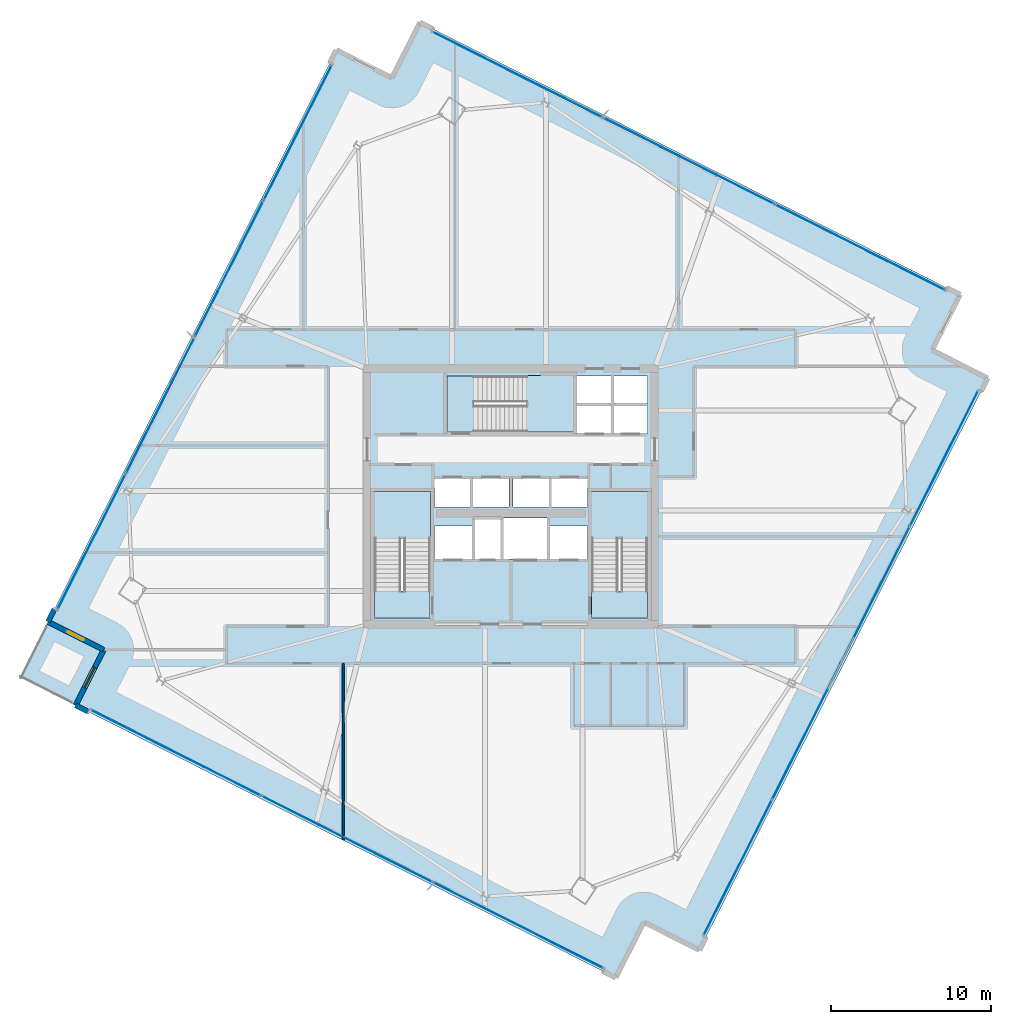
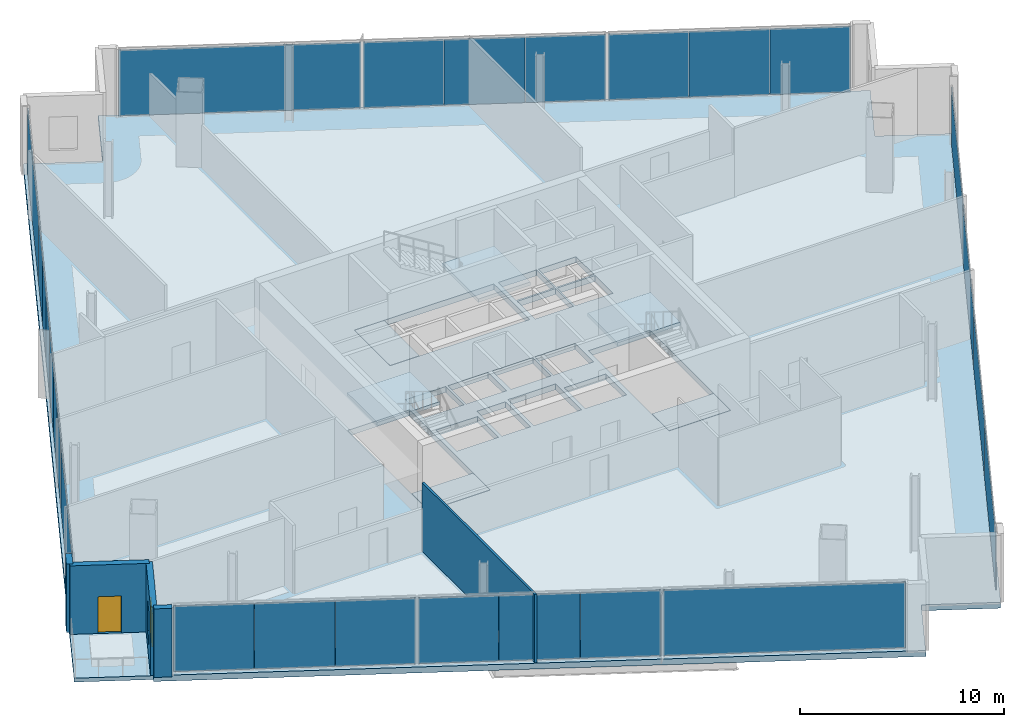
# One storey, part 19 of 27: 26 plates, 8 slabs, 5 walls, 1 door, 1 window, 2 openings, 7 elements without a shape of their own.
"""IFC4 building model written with IfcOpenShell, lengths in metres."""

from ifc_helpers import new_model, si_unit, direction, frame, frame_2d, origin, origin_2d, place, context, subcontext, project, spatial, polyline, rectangle, outline, extrude, source, transform, mapped, material, layer, layer_set, type_object, element, fill, aggregate, save


model = new_model("IFC4")

# Units and contexts
model_context = context("Model", 3, precision=1e-05, world=origin(), true_north=direction((0.0, 1.0)))
body_context = subcontext(model_context, "Body", "Model", "MODEL_VIEW")
ifc_project = project(units=[si_unit("LENGTHUNIT", "METRE"), si_unit("AREAUNIT", "SQUARE_METRE"), si_unit("VOLUMEUNIT", "CUBIC_METRE"), si_unit("PLANEANGLEUNIT", "RADIAN"), si_unit("MASSUNIT", "GRAM", prefix="KILO")], contexts=[model_context])

# Site, building, storey
site_placement = place(None, origin())
site = spatial("IfcSite", under=ifc_project, at=site_placement, CompositionType="ELEMENT")
building_placement = place(site_placement, origin())
building = spatial("IfcBuilding", under=site, at=building_placement, Name="Haldenkirk Collegiate Tower", CompositionType="ELEMENT")
storey_placement = place(building_placement, frame((0.0, 0.0, 239.699951171875)))
storey = spatial("IfcBuildingStorey", under=building, at=storey_placement, Name="L60", CompositionType="ELEMENT", Elevation=239.699951171875)

# Slab
ifc_material_1 = material(Name="Concrete f'c 40 MPa", Category="concrete")
ifc_layer_1 = layer(ifc_material_1, 0.35009765625)
ifc_layer_set_1 = layer_set([ifc_layer_1], Name="Concrete f'c 40 MPa")
slab_type_1 = type_object("IfcSlabType", Name="SLB-FLR-350", PredefinedType="FLOOR", material=ifc_layer_set_1)
slab_1_placement = place(storey_placement, frame((0.0, 0.0, -0.349853515625)))
element("IfcSlab", 1, at=slab_1_placement, inside=storey, type_object=slab_type_1, Name="L60 composite structural floor slab", PredefinedType="FLOOR", context=body_context, shape_type="SweptSolid", body=[
    extrude(outline(polyline([(47.80419921875, -2.40283203125), (65.853271484375, 33.40576171875), (62.37060546875, 35.1611328125), (64.1259765625, 38.643798828125), (30.304443359375, 55.691162109375), (28.549072265625, 52.20849609375), (25.06640625, 53.9638671875), (7.017333984375, 18.155517578125), (10.5, 16.400146484375), (8.74462890625, 12.91748046875), (42.56640625, -4.1298828125), (44.321533203125, -0.6474609375), (47.80419921875, -2.40283203125)]), holes=[polyline([(27.449951171875, 18.39990234375), (30.949951171875, 18.39990234375), (30.949951171875, 26.300048828125), (27.449951171875, 26.300048828125), (27.449951171875, 18.39990234375)]), polyline([(41.050048828125, 18.39990234375), (44.550048828125, 18.39990234375), (44.550048828125, 26.300048828125), (41.050048828125, 26.300048828125), (41.050048828125, 18.39990234375)]), polyline([(32.0, 30.050048828125), (39.89990234375, 30.050048828125), (39.89990234375, 33.550048828125), (32.0, 33.550048828125), (32.0, 30.050048828125)]), polyline([(33.75, 22.10009765625), (35.35009765625, 22.10009765625), (35.35009765625, 24.550048828125), (33.75, 24.550048828125), (33.75, 22.10009765625)]), polyline([(40.14990234375, 29.949951171875), (42.320068359375, 29.949951171875), (42.320068359375, 31.699951171875), (40.14990234375, 31.699951171875), (40.14990234375, 29.949951171875)]), polyline([(42.419921875, 29.949951171875), (44.550048828125, 29.949951171875), (44.550048828125, 31.699951171875), (42.419921875, 31.699951171875), (42.419921875, 29.949951171875)]), polyline([(40.14990234375, 31.800048828125), (42.320068359375, 31.800048828125), (42.320068359375, 33.550048828125), (40.14990234375, 33.550048828125), (40.14990234375, 31.800048828125)]), polyline([(42.419921875, 31.800048828125), (44.550048828125, 31.800048828125), (44.550048828125, 33.550048828125), (42.419921875, 33.550048828125), (42.419921875, 31.800048828125)]), polyline([(31.199951171875, 25.35009765625), (33.47998046875, 25.35009765625), (33.47998046875, 27.14990234375), (31.199951171875, 27.14990234375), (31.199951171875, 25.35009765625)]), polyline([(33.60009765625, 25.35009765625), (35.8798828125, 25.35009765625), (35.8798828125, 27.14990234375), (33.60009765625, 27.14990234375), (33.60009765625, 25.35009765625)]), polyline([(36.1201171875, 25.35009765625), (38.39990234375, 25.35009765625), (38.39990234375, 27.14990234375), (36.1201171875, 27.14990234375), (36.1201171875, 25.35009765625)]), polyline([(38.52001953125, 25.35009765625), (40.800048828125, 25.35009765625), (40.800048828125, 27.14990234375), (38.52001953125, 27.14990234375), (38.52001953125, 25.35009765625)]), polyline([(31.199951171875, 22.10009765625), (33.550048828125, 22.10009765625), (33.550048828125, 24.14990234375), (31.199951171875, 24.14990234375), (31.199951171875, 22.10009765625)]), polyline([(38.449951171875, 22.10009765625), (40.800048828125, 22.10009765625), (40.800048828125, 24.14990234375), (38.449951171875, 24.14990234375), (38.449951171875, 22.10009765625)]), polyline([(35.550048828125, 22.10009765625), (38.25, 22.10009765625), (38.25, 24.64990234375), (35.550048828125, 24.64990234375), (35.550048828125, 22.10009765625)])]), origin(), (0.0, 0.0, 1.0), 0.349853515625),
])

# Stair, slab
stair_type = type_object("IfcStairType", Name="STR-DOGLEG-1650", PredefinedType="HALF_TURN_STAIR", material=ifc_material_1)
stair_1_placement = place(storey_placement, origin())
stair_1 = element("IfcStair", 2, at=stair_1_placement, inside=storey, type_object=stair_type, Name="L60 Core Exit Stair ST-1", PredefinedType="HALF_TURN_STAIR")
ifc_layer_2 = layer(ifc_material_1, 0.199951171875)
ifc_layer_set_2 = layer_set([ifc_layer_2], Name="Concrete f'c 40 MPa")
slab_type_2 = type_object("IfcSlabType", Name="SLB-LANDING-200", PredefinedType="LANDING", material=ifc_layer_set_2)
slab_2_placement = place(storey_placement, frame((0.0, 0.0, 2.050048828125)))
slab_2 = element("IfcSlab", 3, at=slab_2_placement, type_object=slab_type_2, Name="ST-1 landing 1", PredefinedType="LANDING", context=body_context, shape_type="SweptSolid", body=[
    extrude(outline(polyline([(30.97509765625, 23.385009765625), (27.425048828125, 23.385009765625), (27.425048828125, 26.324951171875), (30.97509765625, 26.324951171875), (30.97509765625, 23.385009765625)])), origin(), (0.0, 0.0, 1.0), 0.199951171875),
])
aggregate(stair_1, [slab_2])

stair_2_placement = place(storey_placement, origin())
stair_2 = element("IfcStair", 4, at=stair_2_placement, inside=storey, type_object=stair_type, Name="L60 Core Exit Stair ST-2", PredefinedType="HALF_TURN_STAIR")
slab_3_placement = place(storey_placement, frame((0.0, 0.0, 2.050048828125)))
slab_3 = element("IfcSlab", 5, at=slab_3_placement, type_object=slab_type_2, Name="ST-2 landing 1", PredefinedType="LANDING", context=body_context, shape_type="SweptSolid", body=[
    extrude(outline(polyline([(44.574951171875, 23.385009765625), (41.02490234375, 23.385009765625), (41.02490234375, 26.324951171875), (44.574951171875, 26.324951171875), (44.574951171875, 23.385009765625)])), origin(), (0.0, 0.0, 1.0), 0.199951171875),
])
aggregate(stair_2, [slab_3])

stair_3_placement = place(storey_placement, origin())
stair_3 = element("IfcStair", 6, at=stair_3_placement, inside=storey, type_object=stair_type, Name="L60 Core Exit Stair ST-3", PredefinedType="HALF_TURN_STAIR")
slab_4_placement = place(storey_placement, frame((0.0, 0.0, 2.050048828125)))
slab_4 = element("IfcSlab", 7, at=slab_4_placement, type_object=slab_type_2, Name="ST-3 landing 1", PredefinedType="LANDING", context=body_context, shape_type="SweptSolid", body=[
    extrude(outline(polyline([(36.985107421875, 30.02490234375), (36.985107421875, 33.574951171875), (39.925048828125, 33.574951171875), (39.925048828125, 30.02490234375), (36.985107421875, 30.02490234375)])), origin(), (0.0, 0.0, 1.0), 0.199951171875),
])
aggregate(stair_3, [slab_4])

# Slabs
ifc_layer_3 = layer(ifc_material_1, 0.25)
ifc_layer_set_3 = layer_set([ifc_layer_3], Name="Concrete f'c 40 MPa")
slab_type_3 = type_object("IfcSlabType", Name="SLB-STAIRLAND-250", PredefinedType="LANDING", material=ifc_layer_set_3)
slab_5_placement = place(storey_placement, frame((0.0, 0.0, -0.25)))
element("IfcSlab", 8, at=slab_5_placement, inside=storey, type_object=slab_type_3, Name="L60 stair ST1 structural floor landing slab", PredefinedType="LANDING", context=body_context, shape_type="SweptSolid", body=[
    extrude(outline(polyline([(27.4599609375, 18.409912109375), (30.93994140625, 18.409912109375), (30.93994140625, 20.080078125), (27.4599609375, 20.080078125), (27.4599609375, 18.409912109375)])), origin(), (0.0, 0.0, 1.0), 0.25),
])
slab_6_placement = place(storey_placement, frame((0.0, 0.0, -0.25)))
element("IfcSlab", 9, at=slab_6_placement, inside=storey, type_object=slab_type_3, Name="L60 stair ST2 structural floor landing slab", PredefinedType="LANDING", context=body_context, shape_type="SweptSolid", body=[
    extrude(outline(polyline([(41.06005859375, 18.409912109375), (44.5400390625, 18.409912109375), (44.5400390625, 20.080078125), (41.06005859375, 20.080078125), (41.06005859375, 18.409912109375)])), origin(), (0.0, 0.0, 1.0), 0.25),
])
slab_7_placement = place(storey_placement, frame((0.0, 0.0, -0.25)))
element("IfcSlab", 10, at=slab_7_placement, inside=storey, type_object=slab_type_3, Name="L60 stair ST3 structural floor landing slab", PredefinedType="LANDING", context=body_context, shape_type="SweptSolid", body=[
    extrude(outline(polyline([(32.010009765625, 30.06005859375), (33.679931640625, 30.06005859375), (33.679931640625, 33.5400390625), (32.010009765625, 33.5400390625), (32.010009765625, 30.06005859375)])), origin(), (0.0, 0.0, 1.0), 0.25),
])
ifc_layer_4 = layer(ifc_material_1, 0.22998046875)
ifc_layer_set_4 = layer_set([ifc_layer_4], Name="Concrete f'c 40 MPa")
slab_type_4 = type_object("IfcSlabType", Name="SLB-TERR-SPIRAL-230", PredefinedType="FLOOR", material=ifc_layer_set_4)
slab_8_placement = place(storey_placement, frame((0.0, 0.0, -0.22998046875)))
element("IfcSlab", 11, at=slab_8_placement, inside=storey, type_object=slab_type_4, Name="L60 spiralling corner terrace slab", PredefinedType="FLOOR", context=body_context, shape_type="SweptSolid", body=[
    extrude(outline(polyline([(8.74462890625, 12.91748046875), (10.5, 16.400146484375), (7.017333984375, 18.155517578125), (5.26220703125, 14.6728515625), (8.74462890625, 12.91748046875)])), origin(), (0.0, 0.0, 1.0), 0.22998046875),
])

# Curtain wall, plates
ifc_material_2 = material(Name="Anodised architectural bronze aluminium", Category="aluminium")
curtain_wall_type_1 = type_object("IfcCurtainWallType", Name="CW-SYS2-CONCAVE", PredefinedType="USERDEFINED", material=ifc_material_2)
curtain_wall_1_placement = place(storey_placement, origin())
curtain_wall_1 = element("IfcCurtainWall", 12, at=curtain_wall_1_placement, inside=storey, type_object=curtain_wall_type_1, Name="L60 South concave recessed bronze-anodised curtain wall", ObjectType="UNITISED CURTAIN WALL", PredefinedType="USERDEFINED")
ifc_material_3 = material(Name="Low-E argon triple insulating glass", Category="glass")
ifc_layer_5 = layer(ifc_material_3, 0.0419921875)
ifc_layer_set_5 = layer_set([ifc_layer_5], Name="Low-E argon triple insulating glass")
plate_type_1 = type_object("IfcPlateType", Name="CW-PNL-02", PredefinedType="CURTAIN_PANEL", material=ifc_layer_set_5)
shared_shape_1 = source(origin(), body_context, "Body", "SweptSolid", [
    extrude(rectangle(XDim=9.46240234375, YDim=0.0419921875, at=origin_2d()), origin(), (0.0, 0.0, 1.0), 3.407958984375),
])
plate_1_placement = place(storey_placement, frame((63.1240234375, 28.39111328125, 0.0751953125), z_axis=(0.0, 0.0, 1.0), x_axis=(-0.450096909675, -0.892979715279, 0.0)))
plate_1 = element("IfcPlate", 13, at=plate_1_placement, type_object=plate_type_1, Name="CW-02 panel 1.1", PredefinedType="CURTAIN_PANEL", context=body_context, shape_type="MappedRepresentation", body=[
    mapped(shared_shape_1, transform((0.0, 0.0, 0.0), x_axis=(1.0, 0.0, 0.0), y_axis=(0.0, 1.0, 0.0), z_axis=(0.0, 0.0, 1.0), scale=1.0)),
])
plate_2_placement = place(storey_placement, frame((50.2119140625, 2.773681640625, 0.0751953125), z_axis=(0.0, 0.0, 1.0), x_axis=(-0.450096909675, -0.892979715279, 0.0)))
plate_2 = element("IfcPlate", 14, at=plate_2_placement, type_object=plate_type_1, Name="CW-02 panel 4.1", PredefinedType="CURTAIN_PANEL", context=body_context, shape_type="MappedRepresentation", body=[
    mapped(shared_shape_1, transform((0.0, 0.0, 0.0), x_axis=(1.0, 0.0, 0.0), y_axis=(0.0, 1.0, 0.0), z_axis=(0.0, 0.0, 1.0), scale=1.0)),
])
shared_shape_2 = source(origin(), body_context, "Body", "SweptSolid", [
    extrude(rectangle(XDim=9.5, YDim=0.0419921875, at=origin_2d()), origin(), (0.0, 0.0, 1.0), 3.407958984375),
])
plate_3_placement = place(storey_placement, frame((58.822998046875, 19.857666015625, 0.0751953125), z_axis=(0.0, 0.0, 1.0), x_axis=(-0.450096909675, -0.892979715279, 0.0)))
plate_3 = element("IfcPlate", 15, at=plate_3_placement, type_object=plate_type_1, Name="CW-02 panel 2.1", PredefinedType="CURTAIN_PANEL", context=body_context, shape_type="MappedRepresentation", body=[
    mapped(shared_shape_2, transform((0.0, 0.0, 0.0), x_axis=(1.0, 0.0, 0.0), y_axis=(0.0, 1.0, 0.0), z_axis=(0.0, 0.0, 1.0), scale=1.0)),
])
plate_4_placement = place(storey_placement, frame((54.51318359375, 11.307373046875, 0.0751953125), z_axis=(0.0, 0.0, 1.0), x_axis=(-0.450096909675, -0.892979715279, 0.0)))
plate_4 = element("IfcPlate", 16, at=plate_4_placement, type_object=plate_type_1, Name="CW-02 panel 3.1", PredefinedType="CURTAIN_PANEL", context=body_context, shape_type="MappedRepresentation", body=[
    mapped(shared_shape_2, transform((0.0, 0.0, 0.0), x_axis=(1.0, 0.0, 0.0), y_axis=(0.0, 1.0, 0.0), z_axis=(0.0, 0.0, 1.0), scale=1.0)),
])
aggregate(curtain_wall_1, [plate_1, plate_3, plate_4, plate_2])

# Curtain wall, plate
curtain_wall_type_2 = type_object("IfcCurtainWallType", Name="CW-SYS1B-CONVEX-HI", PredefinedType="USERDEFINED", material=ifc_material_2)
curtain_wall_2_placement = place(storey_placement, origin())
curtain_wall_2 = element("IfcCurtainWall", 17, at=curtain_wall_2_placement, inside=storey, type_object=curtain_wall_type_2, Name="L60 Upper tower high-wind convex bronze unitised curtain wall", ObjectType="UNITISED CURTAIN WALL", PredefinedType="USERDEFINED")
ifc_layer_6 = layer(ifc_material_3, 0.048095703125)
ifc_layer_set_6 = layer_set([ifc_layer_6], Name="Low-E argon triple insulating glass")
plate_type_2 = type_object("IfcPlateType", Name="CW-PNL-1B", PredefinedType="CURTAIN_PANEL", material=ifc_layer_set_6)
shared_shape_3 = source(origin(), body_context, "Body", "SweptSolid", [
    extrude(rectangle(XDim=11.8974609375, YDim=0.048095703125, at=origin_2d()), origin(), (0.0, 0.0, 1.0), 3.929931640625),
])
plate_5_placement = place(storey_placement, frame((36.4150390625, 52.40966796875, 0.0849609375), z_axis=(0.0, 0.0, 1.0), x_axis=(0.89297887106, -0.450098584579, 0.0)))
plate_5 = element("IfcPlate", 18, at=plate_5_placement, type_object=plate_type_2, Name="CW-1B panel 1.1", PredefinedType="CURTAIN_PANEL", context=body_context, shape_type="MappedRepresentation", body=[
    mapped(shared_shape_3, transform((0.0, 0.0, 0.0), x_axis=(1.0, 0.0, 0.0), y_axis=(0.0, 1.0, 0.0), z_axis=(0.0, 0.0, 1.0), scale=1.0)),
])

curtain_wall_3_placement = place(storey_placement, origin())
curtain_wall_3 = element("IfcCurtainWall", 19, at=curtain_wall_3_placement, inside=storey, type_object=curtain_wall_type_2, Name="L60 Upper tower high-wind convex bronze unitised curtain wall", ObjectType="UNITISED CURTAIN WALL", PredefinedType="USERDEFINED")
plate_6_placement = place(storey_placement, frame((36.45556640625, -0.848388671875, 0.0849609375), z_axis=(0.0, 0.0, 1.0), x_axis=(-0.89297887106, 0.450098584579, 0.0)))
plate_6 = element("IfcPlate", 20, at=plate_6_placement, type_object=plate_type_2, Name="CW-1B panel 1.1", PredefinedType="CURTAIN_PANEL", context=body_context, shape_type="MappedRepresentation", body=[
    mapped(shared_shape_3, transform((0.0, 0.0, 0.0), x_axis=(1.0, 0.0, 0.0), y_axis=(0.0, 1.0, 0.0), z_axis=(0.0, 0.0, 1.0), scale=1.0)),
])

# Plate
ifc_material_4 = material(Name="Bronze-anodised insulated aluminium spandrel panel", Category="aluminium")
ifc_layer_7 = layer(ifc_material_4, 0.048095703125)
ifc_layer_set_7 = layer_set([ifc_layer_7], Name="Bronze-anodised insulated aluminium spandrel panel")
plate_type_3 = type_object("IfcPlateType", Name="CW-SPD-1B", PredefinedType="CURTAIN_PANEL", material=ifc_layer_set_7)
shared_shape_4 = source(origin(), body_context, "Body", "SweptSolid", [
    extrude(rectangle(XDim=3.967529296875, YDim=0.048095703125, at=origin_2d()), origin(), (0.0, 0.0, 1.0), 3.929931640625),
])
plate_7_placement = place(storey_placement, frame((43.57470703125, 48.801025390625, 0.0849609375), z_axis=(0.0, 0.0, 1.0), x_axis=(0.89297887106, -0.450098584579, 0.0)))
plate_7 = element("IfcPlate", 21, at=plate_7_placement, type_object=plate_type_3, Name="CW-1B spandrel panel 2.1a", PredefinedType="CURTAIN_PANEL", context=body_context, shape_type="MappedRepresentation", body=[
    mapped(shared_shape_4, transform((0.0, 0.0, 0.0), x_axis=(1.0, 0.0, 0.0), y_axis=(0.0, 1.0, 0.0), z_axis=(0.0, 0.0, 1.0), scale=1.0)),
])

plate_8_placement = place(storey_placement, frame((50.69384765625, 45.21240234375, 0.0849609375), z_axis=(0.0, 0.0, 1.0), x_axis=(0.89297887106, -0.450098584579, 0.0)))
plate_8 = element("IfcPlate", 22, at=plate_8_placement, type_object=plate_type_2, Name="CW-1B panel 2.1c", PredefinedType="CURTAIN_PANEL", context=body_context, shape_type="MappedRepresentation", body=[
    mapped(shared_shape_4, transform((0.0, 0.0, 0.0), x_axis=(1.0, 0.0, 0.0), y_axis=(0.0, 1.0, 0.0), z_axis=(0.0, 0.0, 1.0), scale=1.0)),
])

plate_9_placement = place(storey_placement, frame((29.296142578125, 2.76025390625, 0.0849609375), z_axis=(0.0, 0.0, 1.0), x_axis=(-0.89297887106, 0.450098584579, 0.0)))
plate_9 = element("IfcPlate", 23, at=plate_9_placement, type_object=plate_type_3, Name="CW-1B spandrel panel 2.1a", PredefinedType="CURTAIN_PANEL", context=body_context, shape_type="MappedRepresentation", body=[
    mapped(shared_shape_4, transform((0.0, 0.0, 0.0), x_axis=(1.0, 0.0, 0.0), y_axis=(0.0, 1.0, 0.0), z_axis=(0.0, 0.0, 1.0), scale=1.0)),
])

plate_10_placement = place(storey_placement, frame((22.177001953125, 6.3486328125, 0.0849609375), z_axis=(0.0, 0.0, 1.0), x_axis=(-0.89297887106, 0.450098584579, 0.0)))
plate_10 = element("IfcPlate", 24, at=plate_10_placement, type_object=plate_type_2, Name="CW-1B panel 2.1c", PredefinedType="CURTAIN_PANEL", context=body_context, shape_type="MappedRepresentation", body=[
    mapped(shared_shape_4, transform((0.0, 0.0, 0.0), x_axis=(1.0, 0.0, 0.0), y_axis=(0.0, 1.0, 0.0), z_axis=(0.0, 0.0, 1.0), scale=1.0)),
])

shared_shape_5 = source(origin(), body_context, "Body", "SweptSolid", [
    extrude(rectangle(XDim=3.955078125, YDim=0.048095703125, at=origin_2d()), origin(), (0.0, 0.0, 1.0), 3.929931640625),
])
plate_11_placement = place(storey_placement, frame((47.13427734375, 47.006591796875, 0.0849609375), z_axis=(0.0, 0.0, 1.0), x_axis=(0.89297887106, -0.450098584579, 0.0)))
plate_11 = element("IfcPlate", 25, at=plate_11_placement, type_object=plate_type_2, Name="CW-1B panel 2.1b", PredefinedType="CURTAIN_PANEL", context=body_context, shape_type="MappedRepresentation", body=[
    mapped(shared_shape_5, transform((0.0, 0.0, 0.0), x_axis=(1.0, 0.0, 0.0), y_axis=(0.0, 1.0, 0.0), z_axis=(0.0, 0.0, 1.0), scale=1.0)),
])

plate_12_placement = place(storey_placement, frame((25.736572265625, 4.554443359375, 0.0849609375), z_axis=(0.0, 0.0, 1.0), x_axis=(-0.89297887106, 0.450098584579, 0.0)))
plate_12 = element("IfcPlate", 26, at=plate_12_placement, type_object=plate_type_2, Name="CW-1B panel 2.1b", PredefinedType="CURTAIN_PANEL", context=body_context, shape_type="MappedRepresentation", body=[
    mapped(shared_shape_5, transform((0.0, 0.0, 0.0), x_axis=(1.0, 0.0, 0.0), y_axis=(0.0, 1.0, 0.0), z_axis=(0.0, 0.0, 1.0), scale=1.0)),
])

shared_shape_6 = source(origin(), body_context, "Body", "SweptSolid", [
    extrude(rectangle(XDim=3.953369140625, YDim=0.048095703125, at=origin_2d()), origin(), (0.0, 0.0, 1.0), 3.929931640625),
])
plate_13_placement = place(storey_placement, frame((54.306396484375, 43.3916015625, 0.0849609375), z_axis=(0.0, 0.0, 1.0), x_axis=(0.89297887106, -0.450098584579, 0.0)))
plate_13 = element("IfcPlate", 27, at=plate_13_placement, type_object=plate_type_3, Name="CW-1B spandrel panel 3.1a", PredefinedType="CURTAIN_PANEL", context=body_context, shape_type="MappedRepresentation", body=[
    mapped(shared_shape_6, transform((0.0, 0.0, 0.0), x_axis=(1.0, 0.0, 0.0), y_axis=(0.0, 1.0, 0.0), z_axis=(0.0, 0.0, 1.0), scale=1.0)),
])

plate_14_placement = place(storey_placement, frame((61.400390625, 39.816162109375, 0.0849609375), z_axis=(0.0, 0.0, 1.0), x_axis=(0.89297887106, -0.450098584579, 0.0)))
plate_14 = element("IfcPlate", 28, at=plate_14_placement, type_object=plate_type_2, Name="CW-1B panel 3.1c", PredefinedType="CURTAIN_PANEL", context=body_context, shape_type="MappedRepresentation", body=[
    mapped(shared_shape_6, transform((0.0, 0.0, 0.0), x_axis=(1.0, 0.0, 0.0), y_axis=(0.0, 1.0, 0.0), z_axis=(0.0, 0.0, 1.0), scale=1.0)),
])

plate_15_placement = place(storey_placement, frame((18.564453125, 8.16943359375, 0.0849609375), z_axis=(0.0, 0.0, 1.0), x_axis=(-0.89297887106, 0.450098584579, 0.0)))
plate_15 = element("IfcPlate", 29, at=plate_15_placement, type_object=plate_type_3, Name="CW-1B spandrel panel 3.1a", PredefinedType="CURTAIN_PANEL", context=body_context, shape_type="MappedRepresentation", body=[
    mapped(shared_shape_6, transform((0.0, 0.0, 0.0), x_axis=(1.0, 0.0, 0.0), y_axis=(0.0, 1.0, 0.0), z_axis=(0.0, 0.0, 1.0), scale=1.0)),
])

plate_16_placement = place(storey_placement, frame((11.470458984375, 11.7451171875, 0.0849609375), z_axis=(0.0, 0.0, 1.0), x_axis=(-0.89297887106, 0.450098584579, 0.0)))
plate_16 = element("IfcPlate", 30, at=plate_16_placement, type_object=plate_type_2, Name="CW-1B panel 3.1c", PredefinedType="CURTAIN_PANEL", context=body_context, shape_type="MappedRepresentation", body=[
    mapped(shared_shape_6, transform((0.0, 0.0, 0.0), x_axis=(1.0, 0.0, 0.0), y_axis=(0.0, 1.0, 0.0), z_axis=(0.0, 0.0, 1.0), scale=1.0)),
])

shared_shape_7 = source(origin(), body_context, "Body", "SweptSolid", [
    extrude(rectangle(XDim=3.94091796875, YDim=0.048095703125, at=origin_2d()), origin(), (0.0, 0.0, 1.0), 3.929931640625),
])
plate_17_placement = place(storey_placement, frame((57.853271484375, 41.60400390625, 0.0849609375), z_axis=(0.0, 0.0, 1.0), x_axis=(0.89297887106, -0.450098584579, 0.0)))
plate_17 = element("IfcPlate", 31, at=plate_17_placement, type_object=plate_type_2, Name="CW-1B panel 3.1b", PredefinedType="CURTAIN_PANEL", context=body_context, shape_type="MappedRepresentation", body=[
    mapped(shared_shape_7, transform((0.0, 0.0, 0.0), x_axis=(1.0, 0.0, 0.0), y_axis=(0.0, 1.0, 0.0), z_axis=(0.0, 0.0, 1.0), scale=1.0)),
])

aggregate(curtain_wall_2, [plate_5, plate_7, plate_11, plate_8, plate_13, plate_17, plate_14])

plate_18_placement = place(storey_placement, frame((15.017333984375, 9.957275390625, 0.0849609375), z_axis=(0.0, 0.0, 1.0), x_axis=(-0.89297887106, 0.450098584579, 0.0)))
plate_18 = element("IfcPlate", 32, at=plate_18_placement, type_object=plate_type_2, Name="CW-1B panel 3.1b", PredefinedType="CURTAIN_PANEL", context=body_context, shape_type="MappedRepresentation", body=[
    mapped(shared_shape_7, transform((0.0, 0.0, 0.0), x_axis=(1.0, 0.0, 0.0), y_axis=(0.0, 1.0, 0.0), z_axis=(0.0, 0.0, 1.0), scale=1.0)),
])

aggregate(curtain_wall_3, [plate_6, plate_9, plate_12, plate_10, plate_15, plate_18, plate_16])

# Curtain wall, plates
curtain_wall_4_placement = place(storey_placement, origin())
curtain_wall_4 = element("IfcCurtainWall", 33, at=curtain_wall_4_placement, inside=storey, type_object=curtain_wall_type_2, Name="L60 Upper tower high-wind convex bronze unitised curtain wall", ObjectType="UNITISED CURTAIN WALL", PredefinedType="USERDEFINED")
shared_shape_8 = source(origin(), body_context, "Body", "SweptSolid", [
    extrude(rectangle(XDim=9.447509765625, YDim=0.048095703125, at=origin_2d()), origin(), (0.0, 0.0, 1.0), 3.929931640625),
])
plate_19_placement = place(storey_placement, frame((9.74755859375, 23.17236328125, 0.0849609375), z_axis=(0.0, 0.0, 1.0), x_axis=(0.450100041114, 0.892978136904, 0.0)))
plate_19 = element("IfcPlate", 34, at=plate_19_placement, type_object=plate_type_2, Name="CW-1B panel 1.1", PredefinedType="CURTAIN_PANEL", context=body_context, shape_type="MappedRepresentation", body=[
    mapped(shared_shape_8, transform((0.0, 0.0, 0.0), x_axis=(1.0, 0.0, 0.0), y_axis=(0.0, 1.0, 0.0), z_axis=(0.0, 0.0, 1.0), scale=1.0)),
])
plate_20_placement = place(storey_placement, frame((22.657470703125, 48.78515625, 0.0849609375), z_axis=(0.0, 0.0, 1.0), x_axis=(0.450100041114, 0.892978136904, 0.0)))
plate_20 = element("IfcPlate", 35, at=plate_20_placement, type_object=plate_type_2, Name="CW-1B panel 4.1", PredefinedType="CURTAIN_PANEL", context=body_context, shape_type="MappedRepresentation", body=[
    mapped(shared_shape_8, transform((0.0, 0.0, 0.0), x_axis=(1.0, 0.0, 0.0), y_axis=(0.0, 1.0, 0.0), z_axis=(0.0, 0.0, 1.0), scale=1.0)),
])
shared_shape_9 = source(origin(), body_context, "Body", "SweptSolid", [
    extrude(rectangle(XDim=3.15087890625, YDim=0.048095703125, at=origin_2d()), origin(), (0.0, 0.0, 1.0), 3.929931640625),
])
plate_21_placement = place(storey_placement, frame((12.62109375, 28.873291015625, 0.0849609375), z_axis=(0.0, 0.0, 1.0), x_axis=(0.450100041114, 0.892978136904, 0.0)))
plate_21 = element("IfcPlate", 36, at=plate_21_placement, type_object=plate_type_2, Name="CW-1B panel 2.1a", PredefinedType="CURTAIN_PANEL", context=body_context, shape_type="MappedRepresentation", body=[
    mapped(shared_shape_9, transform((0.0, 0.0, 0.0), x_axis=(1.0, 0.0, 0.0), y_axis=(0.0, 1.0, 0.0), z_axis=(0.0, 0.0, 1.0), scale=1.0)),
])
plate_22_placement = place(storey_placement, frame((15.474365234375, 34.533935546875, 0.0849609375), z_axis=(0.0, 0.0, 1.0), x_axis=(0.450100041114, 0.892978136904, 0.0)))
plate_22 = element("IfcPlate", 37, at=plate_22_placement, type_object=plate_type_3, Name="CW-1B spandrel panel 2.1c", PredefinedType="CURTAIN_PANEL", context=body_context, shape_type="MappedRepresentation", body=[
    mapped(shared_shape_9, transform((0.0, 0.0, 0.0), x_axis=(1.0, 0.0, 0.0), y_axis=(0.0, 1.0, 0.0), z_axis=(0.0, 0.0, 1.0), scale=1.0)),
])
plate_23_placement = place(storey_placement, frame((16.930908203125, 37.423583984375, 0.0849609375), z_axis=(0.0, 0.0, 1.0), x_axis=(0.450100041114, 0.892978136904, 0.0)))
plate_23 = element("IfcPlate", 38, at=plate_23_placement, type_object=plate_type_2, Name="CW-1B panel 3.1a", PredefinedType="CURTAIN_PANEL", context=body_context, shape_type="MappedRepresentation", body=[
    mapped(shared_shape_9, transform((0.0, 0.0, 0.0), x_axis=(1.0, 0.0, 0.0), y_axis=(0.0, 1.0, 0.0), z_axis=(0.0, 0.0, 1.0), scale=1.0)),
])
plate_24_placement = place(storey_placement, frame((19.7841796875, 43.084228515625, 0.0849609375), z_axis=(0.0, 0.0, 1.0), x_axis=(0.450100041114, 0.892978136904, 0.0)))
plate_24 = element("IfcPlate", 39, at=plate_24_placement, type_object=plate_type_3, Name="CW-1B spandrel panel 3.1c", PredefinedType="CURTAIN_PANEL", context=body_context, shape_type="MappedRepresentation", body=[
    mapped(shared_shape_9, transform((0.0, 0.0, 0.0), x_axis=(1.0, 0.0, 0.0), y_axis=(0.0, 1.0, 0.0), z_axis=(0.0, 0.0, 1.0), scale=1.0)),
])
shared_shape_10 = source(origin(), body_context, "Body", "SweptSolid", [
    extrude(rectangle(XDim=3.13818359375, YDim=0.048095703125, at=origin_2d()), origin(), (0.0, 0.0, 1.0), 3.929931640625),
])
plate_25_placement = place(storey_placement, frame((14.0478515625, 31.70361328125, 0.0849609375), z_axis=(0.0, 0.0, 1.0), x_axis=(0.450100041114, 0.892978136904, 0.0)))
plate_25 = element("IfcPlate", 40, at=plate_25_placement, type_object=plate_type_3, Name="CW-1B spandrel panel 2.1b", PredefinedType="CURTAIN_PANEL", context=body_context, shape_type="MappedRepresentation", body=[
    mapped(shared_shape_10, transform((0.0, 0.0, 0.0), x_axis=(1.0, 0.0, 0.0), y_axis=(0.0, 1.0, 0.0), z_axis=(0.0, 0.0, 1.0), scale=1.0)),
])
plate_26_placement = place(storey_placement, frame((18.357421875, 40.25390625, 0.0849609375), z_axis=(0.0, 0.0, 1.0), x_axis=(0.450100041114, 0.892978136904, 0.0)))
plate_26 = element("IfcPlate", 41, at=plate_26_placement, type_object=plate_type_2, Name="CW-1B panel 3.1b", PredefinedType="CURTAIN_PANEL", context=body_context, shape_type="MappedRepresentation", body=[
    mapped(shared_shape_10, transform((0.0, 0.0, 0.0), x_axis=(1.0, 0.0, 0.0), y_axis=(0.0, 1.0, 0.0), z_axis=(0.0, 0.0, 1.0), scale=1.0)),
])
aggregate(curtain_wall_4, [plate_19, plate_21, plate_25, plate_22, plate_23, plate_26, plate_24, plate_20])

# Wall
ifc_material_5 = material(Name="Precast concrete f'c 40 MPa", Category="concrete")
ifc_layer_8 = layer(ifc_material_5, 0.320068359375)
ifc_layer_set_8 = layer_set([ifc_layer_8], Name="Precast concrete f'c 40 MPa")
wall_type_1 = type_object("IfcWallType", Name="WL-EXT-TWR-320", PredefinedType="STANDARD", material=ifc_layer_set_8)
wall_1_placement = place(storey_placement, frame((7.017333984375, 18.155517578125, 0.0), z_axis=(0.0, 0.0, 1.0), x_axis=(0.45024883958, 0.892903120421, 0.0)))
element("IfcWall", 42, at=wall_1_placement, inside=storey, type_object=wall_type_1, Name="L60 precast corner pier NL", PredefinedType="STANDARD", context=body_context, shape_type="SweptSolid", body=[
    extrude(rectangle(XDim=0.900146484375, YDim=0.320068359375, at=frame_2d((0.4501953125, 0.0))), origin(), (0.0, 0.0, 1.0), 4.10009765625),
])

# Wall, opening, door
wall_2_placement = place(storey_placement, frame((10.5, 16.400146484375, 0.0), z_axis=(0.0, 0.0, 1.0), x_axis=(-0.892982765682, 0.450090857711, 0.0)))
wall_2 = element("IfcWall", 43, at=wall_2_placement, inside=storey, type_object=wall_type_1, Name="L60 bronze precast notch wall 08", PredefinedType="STANDARD", context=body_context, shape_type="SweptSolid", body=[
    extrude(rectangle(XDim=3.900146484375, YDim=0.320068359375, at=frame_2d((1.9501953125, 0.0))), origin(), (0.0, 0.0, 1.0), 4.10009765625),
])
opening_1_placement = place(wall_2_placement, frame((1.375, 0.0, 0.0)))
opening_1 = element("IfcOpeningElement", 44, at=opening_1_placement, cuts=wall_2, Name="Opening D-ST11", PredefinedType="OPENING", context=body_context, shape_type="SweptSolid", body=[
    extrude(rectangle(XDim=1.14990234375, YDim=2.199951171875, at=frame_2d((0.574951171875, 1.10009765625))), frame((0.0, 0.169921875, 0.0), z_axis=(0.0, -1.0, 0.0), x_axis=(1.0, 0.0, 0.0)), (0.0, 0.0, 1.0), 0.340087890625),
])
ifc_layer_9 = layer(ifc_material_2, 0.080078125)
ifc_layer_set_9 = layer_set([ifc_layer_9], Name="Anodised architectural bronze aluminium")
door_type = type_object("IfcDoorType", Name="DR-EXT-STER-1150", OperationType="NOTDEFINED", PredefinedType="DOOR", material=ifc_layer_set_9)
door_placement = place(opening_1_placement, origin())
door = element("IfcDoor", 45, at=door_placement, inside=storey, type_object=door_type, Name="L60 spiralling terrace door", OperationType="SINGLE_SWING_LEFT", OverallHeight=2.199951171875, OverallWidth=1.14990234375, PredefinedType="DOOR", context=body_context, shape_type="SweptSolid", body=[
    extrude(rectangle(XDim=1.14990234375, YDim=2.199951171875, at=frame_2d((0.574951171875, 1.10009765625))), frame((0.0, 0.02490234375, 0.0), z_axis=(0.0, -1.0, 0.0), x_axis=(1.0, 0.0, 0.0)), (0.0, 0.0, 1.0), 0.050048828125),
])
fill(opening_1, door)

# Wall, opening, window
wall_3_placement = place(storey_placement, frame((8.74462890625, 12.91748046875, 0.0), z_axis=(0.0, 0.0, 1.0), x_axis=(0.450090857711, 0.892982765682, 0.0)))
wall_3 = element("IfcWall", 46, at=wall_3_placement, inside=storey, type_object=wall_type_1, Name="L60 bronze precast notch wall 09", PredefinedType="STANDARD", context=body_context, shape_type="SweptSolid", body=[
    extrude(rectangle(XDim=3.900146484375, YDim=0.320068359375, at=frame_2d((1.9501953125, 0.0))), origin(), (0.0, 0.0, 1.0), 4.10009765625),
])
opening_2_placement = place(wall_3_placement, frame((1.25, 0.0, 0.85009765625)))
opening_2 = element("IfcOpeningElement", 47, at=opening_2_placement, cuts=wall_3, Name="Opening W-06", PredefinedType="OPENING", context=body_context, shape_type="SweptSolid", body=[
    extrude(rectangle(XDim=1.39990234375, YDim=2.0, at=frame_2d((0.699951171875, 1.0))), frame((0.0, 0.169921875, 0.0), z_axis=(0.0, -1.0, 0.0), x_axis=(1.0, 0.0, 0.0)), (0.0, 0.0, 1.0), 0.340087890625),
])
ifc_layer_10 = layer(ifc_material_3, 0.090087890625)
ifc_layer_set_10 = layer_set([ifc_layer_10], Name="Low-E argon triple insulating glass")
window_type = type_object("IfcWindowType", Name="WN-Z4-1400X2000", PartitioningType="SINGLE_PANEL", PredefinedType="WINDOW", material=ifc_layer_set_10)
window_placement = place(opening_2_placement, origin())
window = element("IfcWindow", 48, at=window_placement, inside=storey, type_object=window_type, Name="L60 precast-frame academic window 8", OverallHeight=2.0, OverallWidth=1.39990234375, PartitioningType="SINGLE_PANEL", PredefinedType="WINDOW", context=body_context, shape_type="SweptSolid", body=[
    extrude(rectangle(XDim=1.39990234375, YDim=2.0, at=frame_2d((0.699951171875, 1.0))), frame((0.0, 0.030029296875, 0.0), z_axis=(0.0, -1.0, 0.0), x_axis=(1.0, 0.0, 0.0)), (0.0, 0.0, 1.0), 0.06005859375),
])
fill(opening_2, window)

# Walls
wall_4_placement = place(storey_placement, frame((9.54833984375, 12.512451171875, 0.0), z_axis=(0.0, 0.0, 1.0), x_axis=(-0.893012151464, 0.450032551421, 0.0)))
element("IfcWall", 49, at=wall_4_placement, inside=storey, type_object=wall_type_1, Name="L60 precast corner pier WR", PredefinedType="STANDARD", context=body_context, shape_type="SweptSolid", body=[
    extrude(rectangle(XDim=0.89990234375, YDim=0.320068359375, at=frame_2d((0.449951171875, 0.0))), origin(), (0.0, 0.0, 1.0), 4.10009765625),
])
ifc_material_6 = material(Name="Acoustic fire-rated gypsum partition", Category="concrete")
ifc_layer_11 = layer(ifc_material_6, 0.1201171875)
ifc_layer_set_11 = layer_set([ifc_layer_11], Name="Acoustic fire-rated gypsum partition")
wall_type_2 = type_object("IfcWallType", Name="WL-INT-WET-120", PredefinedType="PARTITIONING", material=ifc_layer_set_11)
wall_5_placement = place(storey_placement, frame((25.5, 4.516845703125, 0.0), z_axis=(0.0, 0.0, 1.0), x_axis=(0.0, 1.0, 0.0)))
element("IfcWall", 50, at=wall_5_placement, inside=storey, type_object=wall_type_2, Name="L60 interior partition IW-L60-RS1", PredefinedType="PARTITIONING", context=body_context, shape_type="SweptSolid", body=[
    extrude(rectangle(XDim=11.033203125, YDim=0.1201171875, at=frame_2d((5.5166015625, 0.0))), origin(), (0.0, 0.0, 1.0), 4.10009765625),
])

save(model, "model.ifc")
